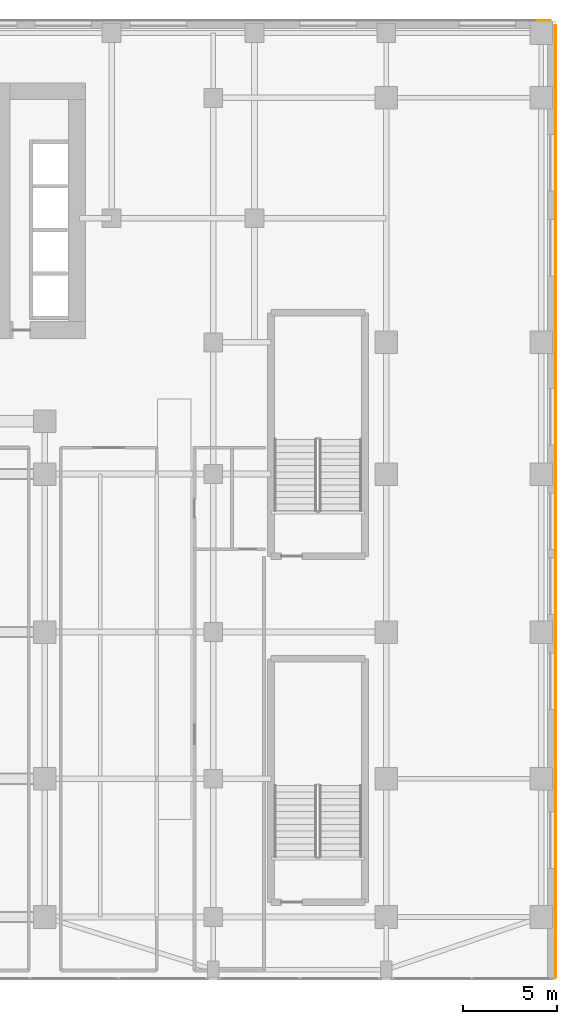
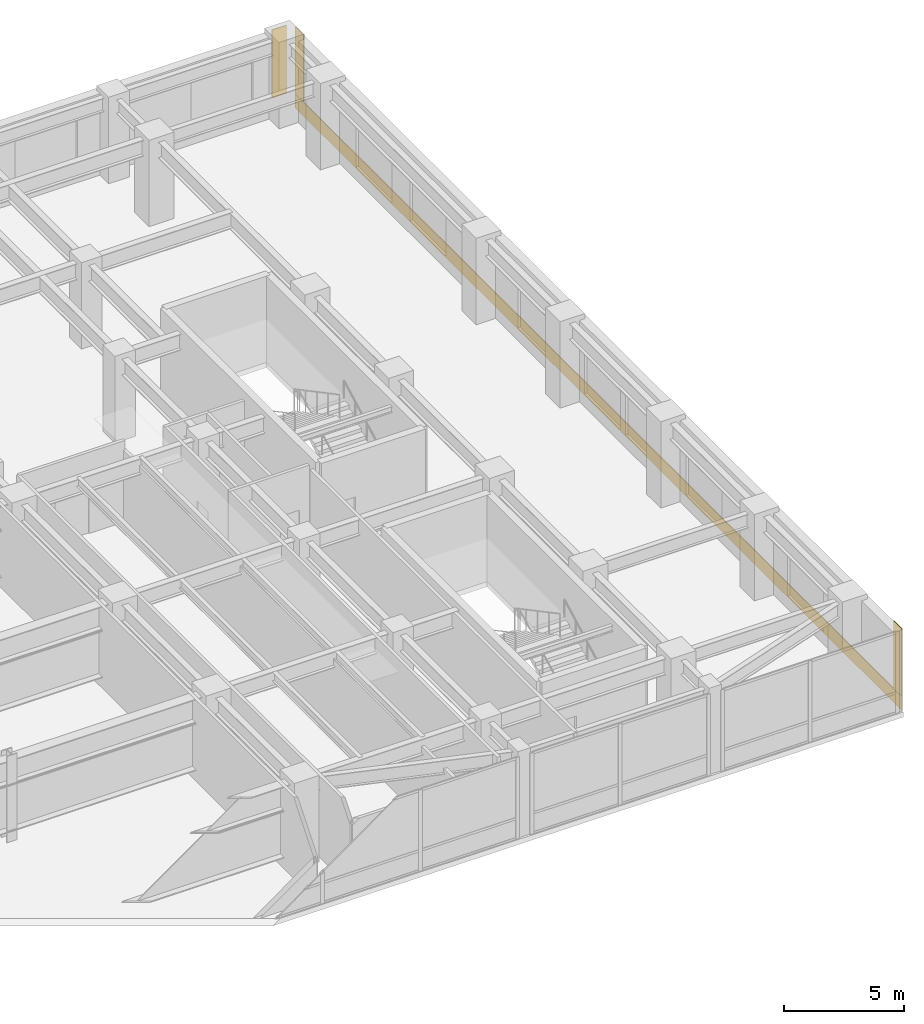
# One storey, part 27 of 27: 4 coverings.
"""IFC4 building model written with IfcOpenShell, lengths in metres."""

from ifc_helpers import new_model, si_unit, direction, frame, origin, place, context, subcontext, project, spatial, polyline, outline, extrude, material, layer, layer_set, type_object, element, save


model = new_model("IFC4")

# Units and contexts
model_context = context("Model", 3, precision=1e-05, world=origin(), true_north=direction((0.0, 1.0)))
body_context = subcontext(model_context, "Body", "Model", "MODEL_VIEW")
ifc_project = project(units=[si_unit("LENGTHUNIT", "METRE"), si_unit("AREAUNIT", "SQUARE_METRE"), si_unit("VOLUMEUNIT", "CUBIC_METRE"), si_unit("PLANEANGLEUNIT", "RADIAN"), si_unit("MASSUNIT", "GRAM", prefix="KILO")], contexts=[model_context])

# Site, building, storey
site_placement = place(None, origin())
site = spatial("IfcSite", under=ifc_project, at=site_placement, CompositionType="ELEMENT")
building_placement = place(site_placement, origin())
building = spatial("IfcBuilding", under=site, at=building_placement, Name="Tolvann Quenvar Hotel", CompositionType="ELEMENT")
storey_placement = place(building_placement, frame((0.0, 0.0, 22.39990234375)))
storey = spatial("IfcBuildingStorey", under=building, at=storey_placement, Name="L04", CompositionType="ELEMENT", Elevation=22.39990234375)

# Coverings
ifc_material_1 = material(Name="Kiln-fired red architectural face brick cladding", Category="masonry")
ifc_layer_1 = layer(ifc_material_1, 0.0400390625)
ifc_layer_set_1 = layer_set([ifc_layer_1], Name="Kiln-fired red architectural face brick cladding")
covering_type_1 = type_object("IfcCoveringType", Name="COV_CLAD_BRICK_40", PredefinedType="CLADDING", material=ifc_layer_set_1)
covering_1_placement = place(storey_placement, frame((0.0, 0.0, 0.7001953125)))
element("IfcCovering", 1, at=covering_1_placement, inside=storey, type_object=covering_type_1, Name="Brick Pier Cladding (L04-E01-P1)", PredefinedType="CLADDING", context=body_context, shape_type="SweptSolid", body=[
    extrude(outline(polyline([(65.39990234375, -2.360107421875), (65.39990234375, -1.659912109375), (65.43994140625, -1.659912109375), (65.43994140625, -2.360107421875), (65.39990234375, -2.360107421875)])), origin(), (0.0, 0.0, 1.0), 3.43994140625),
])
covering_2_placement = place(storey_placement, frame((0.0, 0.0, 0.7001953125)))
element("IfcCovering", 2, at=covering_2_placement, inside=storey, type_object=covering_type_1, Name="Brick Pier Cladding (L04-E01-P2)", PredefinedType="CLADDING", context=body_context, shape_type="SweptSolid", body=[
    extrude(outline(polyline([(65.39990234375, 47.5400390625), (65.39990234375, 48.239990234375), (65.43994140625, 48.239990234375), (65.43994140625, 47.5400390625), (65.39990234375, 47.5400390625)])), origin(), (0.0, 0.0, 1.0), 3.43994140625),
])
covering_3_placement = place(storey_placement, frame((0.0, 0.0, 0.7001953125)))
element("IfcCovering", 3, at=covering_3_placement, inside=storey, type_object=covering_type_1, Name="Brick Pier Cladding (L04-E02-P1)", PredefinedType="CLADDING", context=body_context, shape_type="SweptSolid", body=[
    extrude(outline(polyline([(65.139892578125, 48.5), (64.43994140625, 48.5), (64.43994140625, 48.5400390625), (65.139892578125, 48.5400390625), (65.139892578125, 48.5)])), origin(), (0.0, 0.0, 1.0), 3.43994140625),
])
ifc_material_2 = material(Name="Moulded buff architectural terracotta spandrel cladding", Category="masonry")
ifc_layer_2 = layer(ifc_material_2, 0.0400390625)
ifc_layer_set_2 = layer_set([ifc_layer_2], Name="Moulded buff architectural terracotta spandrel cladding")
covering_type_2 = type_object("IfcCoveringType", Name="COV_CLAD_TERRA_40", PredefinedType="CLADDING", material=ifc_layer_set_2)
covering_4_placement = place(storey_placement, origin())
element("IfcCovering", 4, at=covering_4_placement, inside=storey, type_object=covering_type_2, Name="Terracotta Spandrel Cladding (L04-E01)", PredefinedType="CLADDING", context=body_context, shape_type="SweptSolid", body=[
    extrude(outline(polyline([(65.39990234375, -2.3701171875), (65.39990234375, 48.25), (65.43994140625, 48.25), (65.43994140625, -2.3701171875), (65.39990234375, -2.3701171875)])), origin(), (0.0, 0.0, 1.0), 0.7001953125),
])

save(model, "model.ifc")
